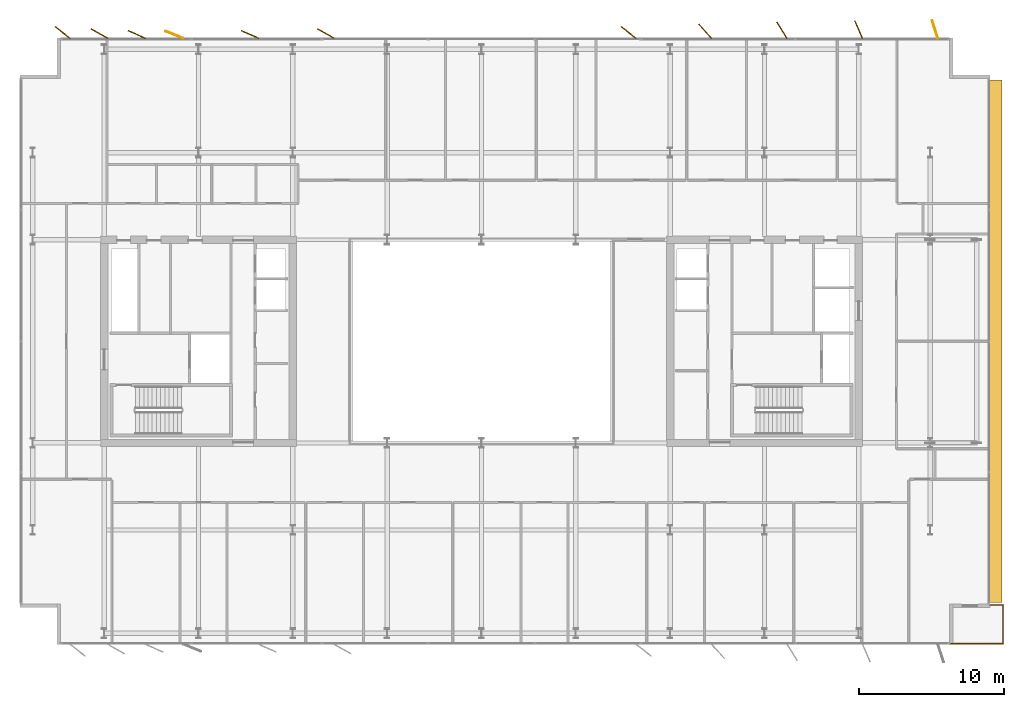
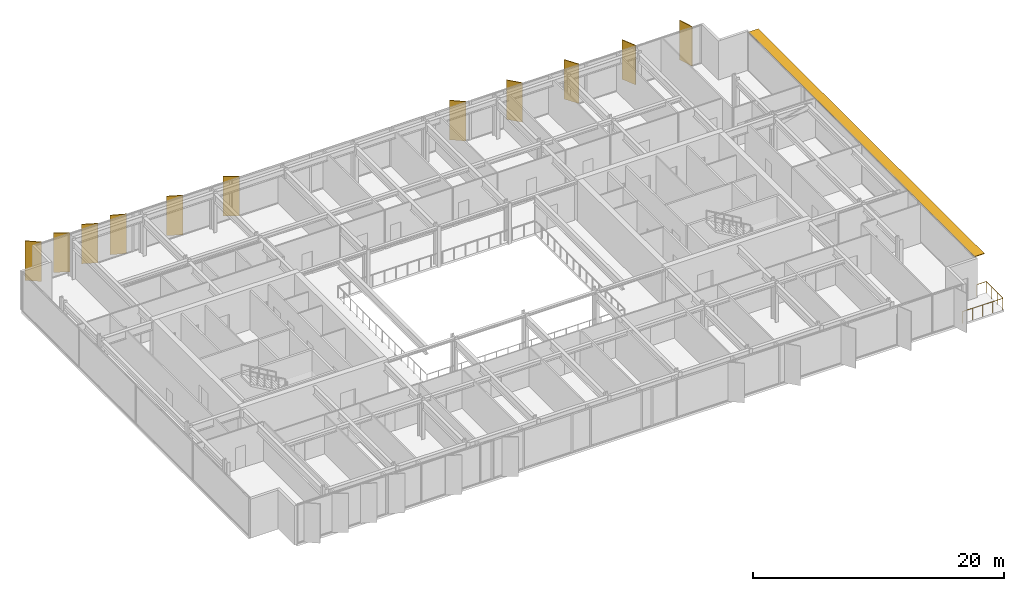
# One storey, part 20 of 20: 12 shading devices, 1 railing.
"""IFC4 building model written with IfcOpenShell, lengths in metres."""

from ifc_helpers import new_model, si_unit, direction, frame, origin, origin_2d, place, context, subcontext, project, spatial, polyline, rectangle, circle, outline, extrude, material, layer, layer_set, type_object, element, save


model = new_model("IFC4")

# Units and contexts
model_context = context("Model", 3, precision=1e-05, world=origin(), true_north=direction((0.0, 1.0)))
body_context = subcontext(model_context, "Body", "Model", "MODEL_VIEW")
ifc_project = project(units=[si_unit("LENGTHUNIT", "METRE"), si_unit("AREAUNIT", "SQUARE_METRE"), si_unit("VOLUMEUNIT", "CUBIC_METRE"), si_unit("PLANEANGLEUNIT", "RADIAN"), si_unit("MASSUNIT", "GRAM", prefix="KILO")], contexts=[model_context])

# Site, building, storey
site_placement = place(None, origin())
site = spatial("IfcSite", under=ifc_project, at=site_placement, CompositionType="ELEMENT")
building_placement = place(site_placement, origin())
building = spatial("IfcBuilding", under=site, at=building_placement, Name="Putna Gate Headquarters", CompositionType="ELEMENT")
storey_placement = place(building_placement, frame((0.0, 0.0, 302.39990234375)))
storey = spatial("IfcBuildingStorey", under=building, at=storey_placement, Name="L76", CompositionType="ELEMENT", Elevation=302.39990234375)

# Railing
ifc_material_1 = material(Name="Anodised bronze steel and laminated glass guardrail", Category="steel")
railing_type = type_object("IfcRailingType", Name="RAIL-TERR-GUARD-1150", PredefinedType="GUARDRAIL", material=ifc_material_1)
railing_placement = place(storey_placement, frame((71.252197265625, 5.159912109375, 0.0)))
element("IfcRailing", 1, at=railing_placement, inside=storey, type_object=railing_type, Name="L76 Spiral Sky Terrace Guardrail SE", PredefinedType="GUARDRAIL", context=body_context, shape_type="SweptSolid", body=[
    extrude(circle(Radius=0.02392578125, at=origin_2d()), frame((0.0, 0.0, 1.1259765625), z_axis=(1.0, 0.0, 0.0), x_axis=(0.0, 1.0, 0.0)), (0.0, 0.0, 1.0), 3.68994140625),
    extrude(circle(Radius=0.02392578125, at=origin_2d()), frame((3.68994140625, 0.0, 1.1259765625), z_axis=(0.0, 1.0, 0.0), x_axis=(-1.0, 0.0, 0.0)), (0.0, 0.0, 1.0), 2.68017578125),
    extrude(circle(Radius=0.02392578125, at=origin_2d()), frame((3.68994140625, 2.68017578125, 1.1259765625), z_axis=(-1.0, 0.0, 0.0), x_axis=(0.0, -1.0, 0.0)), (0.0, 0.0, 1.0), 0.89013671875),
    extrude(circle(Radius=0.02099609375, at=origin_2d()), origin(), (0.0, 0.0, 1.0), 1.101806640625),
    extrude(circle(Radius=0.02099609375, at=origin_2d()), frame((0.92236328125, 0.0, 0.0)), (0.0, 0.0, 1.0), 1.101806640625),
    extrude(circle(Radius=0.02099609375, at=origin_2d()), frame((1.844970703125, 0.0, 0.0)), (0.0, 0.0, 1.0), 1.101806640625),
    extrude(circle(Radius=0.02099609375, at=origin_2d()), frame((2.767578125, 0.0, 0.0)), (0.0, 0.0, 1.0), 1.101806640625),
    extrude(circle(Radius=0.02099609375, at=origin_2d()), frame((3.68994140625, 0.0, 0.0)), (0.0, 0.0, 1.0), 1.101806640625),
    extrude(circle(Radius=0.02099609375, at=origin_2d()), frame((3.68994140625, 0.893310546875, 0.0)), (0.0, 0.0, 1.0), 1.101806640625),
    extrude(circle(Radius=0.02099609375, at=origin_2d()), frame((3.68994140625, 1.786865234375, 0.0)), (0.0, 0.0, 1.0), 1.101806640625),
    extrude(circle(Radius=0.02099609375, at=origin_2d()), frame((3.68994140625, 2.68017578125, 0.0)), (0.0, 0.0, 1.0), 1.101806640625),
    extrude(circle(Radius=0.02099609375, at=origin_2d()), frame((2.7998046875, 2.68017578125, 0.0)), (0.0, 0.0, 1.0), 1.101806640625),
])

# Shading devices
ifc_material_2 = material(Name="Anodised architectural bronze aluminium fin", Category="aluminium")
ifc_layer_1 = layer(ifc_material_2, 0.06494140625)
ifc_layer_set_1 = layer_set([ifc_layer_1], Name="Anodised architectural bronze aluminium fin")
shading_device_type_1 = type_object("IfcShadingDeviceType", Name="SHADE-BRONZE-FIN-1320", PredefinedType="USERDEFINED", material=ifc_layer_set_1)
for number, where, z_axis, x_axis, name in (
    (2, (10.13037109375, 47.28173828125, -0.02001953125), (0.0, 0.0, 1.0), (-0.787473187632, 0.616348909921, 0.0), "L76 Bronze Vertical Shading Fin N1"),
    (3, (12.67626953125, 47.201171875, -0.02001953125), (0.0, 0.0, 1.0), (-0.869322458298, 0.494245347472, 0.0), "L76 Bronze Vertical Shading Fin N2"),
    (4, (15.2470703125, 47.143310546875, -0.02001953125), (0.0, 0.0, 1.0), (-0.913687379856, 0.40641773078, 0.0), "L76 Bronze Vertical Shading Fin N3"),
    (5, (17.838134765625, 47.122314453125, -0.02001953125), (0.0, 0.0, 1.0), (-0.927183854567, 0.374606593416, 0.0), "L76 Bronze Vertical Shading Fin N4"),
    (6, (23.047119140625, 47.143310546875, -0.02001953125), (0.0, 0.0, 1.0), (-0.913687379856, 0.40641773078, 0.0), "L76 Bronze Vertical Shading Fin N5"),
    (7, (28.276123046875, 47.201171875, -0.02001953125), (0.0, 0.0, 1.0), (-0.869322458298, 0.494245347472, 0.0), "L76 Bronze Vertical Shading Fin N6"),
    (8, (49.13037109375, 47.28173828125, -0.02001953125), (0.0, 0.0, 1.0), (-0.787473187632, 0.616348909921, 0.0), "L76 Bronze Vertical Shading Fin N7"),
    (9, (54.408447265625, 47.365478515625, -0.02001953125), (0.0, 0.0, 1.0), (-0.669130606359, 0.743144825477, 0.0), "L76 Bronze Vertical Shading Fin N8"),
    (10, (59.69970703125, 47.434326171875, -0.02001953125), (0.0, 0.0, 1.0), (-0.530659123936, 0.847585331506, 0.0), "L76 Bronze Vertical Shading Fin N9"),
    (11, (64.985595703125, 47.479736328125, -0.02001953125), (0.0, 0.0, 1.0), (-0.400668879095, 0.916222925562, 0.0), "L76 Bronze Vertical Shading Fin N10"),
    (12, (70.246337890625, 47.502685546875, -0.02001953125), (0.0, 0.0, 1.0), (-0.308684994204, 0.951164325631, 0.0), "L76 Bronze Vertical Shading Fin N11"),
):
    element("IfcShadingDevice", number, at=place(storey_placement, frame(where, z_axis=z_axis, x_axis=x_axis)), inside=storey, type_object=shading_device_type_1, Name=name, ObjectType="FIN", PredefinedType="USERDEFINED", context=body_context, shape_type="SweptSolid", body=[
        extrude(rectangle(XDim=1.320068359375, YDim=0.06494140625, at=origin_2d()), origin(), (0.0, 0.0, 1.0), 3.827880859375),
    ])
ifc_material_3 = material(Name="Anodised architectural bronze sunshade blade", Category="aluminium")
ifc_layer_2 = layer(ifc_material_3, 0.06005859375)
ifc_layer_set_2 = layer_set([ifc_layer_2], Name="Anodised architectural bronze sunshade blade")
shading_device_type_2 = type_object("IfcShadingDeviceType", Name="SHADE-SAIL-BLADE-900", PredefinedType="USERDEFINED", material=ifc_layer_set_2)
shading_device_placement = place(storey_placement, frame((0.0, 0.0, 3.733154296875)))
element("IfcShadingDevice", 13, at=shading_device_placement, inside=storey, type_object=shading_device_type_2, Name="L76 East Sail Horizontal Bronze Sunshade Blade", ObjectType="SUNSHADE", PredefinedType="USERDEFINED", context=body_context, shape_type="SweptSolid", body=[
    extrude(outline(polyline([(73.97216796875, 8.0), (74.8720703125, 8.0), (74.8720703125, 44.0), (73.97216796875, 44.0), (73.97216796875, 8.0)])), origin(), (0.0, 0.0, 1.0), 0.06005859375),
])

save(model, "model.ifc")
